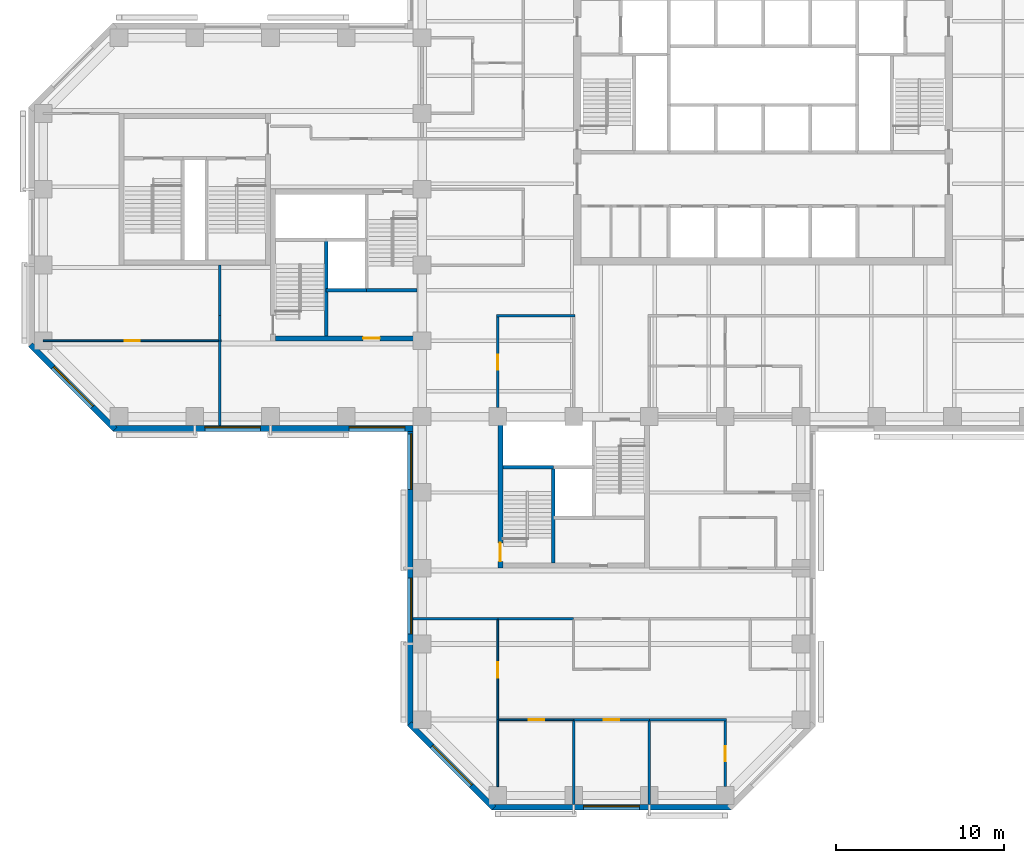
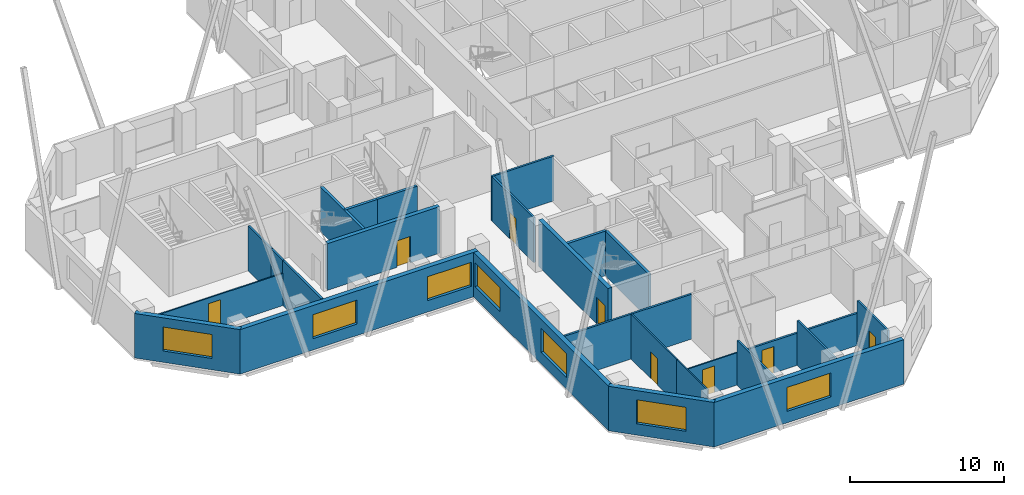
# One storey, part 3 of 11: 28 walls, 8 doors, 7 windows, 15 openings.
"""IFC4 building model written with IfcOpenShell, lengths in metres."""

from ifc_helpers import new_model, si_unit, direction, frame, frame_2d, origin, place, context, subcontext, project, spatial, rectangle, extrude, material, layer, layer_set, constituent, constituent_set, type_object, element, fill, save


model = new_model("IFC4")

# Units and contexts
model_context = context("Model", 3, precision=1e-05, world=origin(), true_north=direction((0.0, 1.0)))
body_context = subcontext(model_context, "Body", "Model", "MODEL_VIEW")
ifc_project = project(units=[si_unit("LENGTHUNIT", "METRE"), si_unit("AREAUNIT", "SQUARE_METRE"), si_unit("VOLUMEUNIT", "CUBIC_METRE"), si_unit("PLANEANGLEUNIT", "RADIAN"), si_unit("MASSUNIT", "GRAM", prefix="KILO")], contexts=[model_context])

# Site, building, storey
site_placement = place(None, origin())
site = spatial("IfcSite", under=ifc_project, at=site_placement, CompositionType="ELEMENT")
building_placement = place(site_placement, origin())
building = spatial("IfcBuilding", under=site, at=building_placement, Name="Quoin Convention Tower", CompositionType="ELEMENT")
storey_placement = place(building_placement, frame((0.0, 0.0, 82.60009765625)))
storey = spatial("IfcBuildingStorey", under=building, at=storey_placement, Name="L21", CompositionType="ELEMENT", Elevation=82.60009765625)

# Walls
ifc_material_1 = material(Name="Plasterboard")
ifc_layer_1 = layer(ifc_material_1, 0.012451171875, Name="Finish")
ifc_material_2 = material(Name="Steel stud framing", Category="steel")
ifc_layer_2 = layer(ifc_material_2, 0.125, Name="Structure")
ifc_layer_3 = layer(ifc_material_1, 0.012451171875, Name="Finish")
ifc_layer_set_1 = layer_set([ifc_layer_1, ifc_layer_2, ifc_layer_3], Name="Steel stud framing")
wall_type_1 = type_object("IfcWallType", Name="Acoustic partition 150", PredefinedType="PARTITIONING", material=ifc_layer_set_1)
for number, where, z_axis, x_axis, name in (
    (1, (45.0, 17.47509765625, 0.0), (0.0, 0.0, 1.0), (0.0, 1.0, 0.0), "pw-L21-063"),
    (2, (49.5, 17.47509765625, 0.0), (0.0, 0.0, 1.0), (0.0, 1.0, 0.0), "pw-L21-064"),
):
    element("IfcWall", number, at=place(storey_placement, frame(where, z_axis=z_axis, x_axis=x_axis)), inside=storey, type_object=wall_type_1, Name=name, PredefinedType="PARTITIONING", context=body_context, shape_type="SweptSolid", body=[
        extrude(rectangle(XDim=4.949951171875, YDim=0.14990234375, at=frame_2d((2.47509765625, 0.0))), origin(), (0.0, 0.0, 1.0), 3.5498046875),
    ])

# Wall, opening, door
wall_1_placement = place(storey_placement, frame((54.0, 18.52490234375, 0.0), z_axis=(0.0, 0.0, 1.0), x_axis=(0.0, 1.0, 0.0)))
wall_1 = element("IfcWall", 3, at=wall_1_placement, inside=storey, type_object=wall_type_1, Name="pw-L21-066", PredefinedType="PARTITIONING", context=body_context, shape_type="SweptSolid", body=[
    extrude(rectangle(XDim=3.900146484375, YDim=0.14990234375, at=frame_2d((1.9501953125, 0.0))), origin(), (0.0, 0.0, 1.0), 3.5498046875),
])
opening_1_placement = place(wall_1_placement, frame((1.5, 0.0, 0.0)))
opening_1 = element("IfcOpeningElement", 4, at=opening_1_placement, cuts=wall_1, Name="Opening DOL1-22", PredefinedType="OPENING", context=body_context, shape_type="SweptSolid", body=[
    extrude(rectangle(XDim=0.89990234375, YDim=2.10009765625, at=frame_2d((0.449951171875, 1.050048828125))), frame((0.0, 0.0849609375, 0.0), z_axis=(0.0, -1.0, 0.0), x_axis=(1.0, 0.0, 0.0)), (0.0, 0.0, 1.0), 0.169921875),
])
ifc_material_3 = material(Name="Steel door leaf", Category="steel")
door_type_1 = type_object("IfcDoorType", Name="Office door 900 x 2100", OperationType="SINGLE_SWING_RIGHT", PredefinedType="DOOR", material=ifc_material_3)
door_1_placement = place(opening_1_placement, frame((0.89990234375, 0.0, 0.0), z_axis=(0.0, 0.0, 1.0), x_axis=(-1.0, 0.0, 0.0)))
door_1 = element("IfcDoor", 5, at=door_1_placement, inside=storey, type_object=door_type_1, Name="dr-L21-19", OperationType="SINGLE_SWING_LEFT", OverallHeight=2.10009765625, OverallWidth=0.89990234375, PredefinedType="DOOR", context=body_context, shape_type="SweptSolid", body=[
    extrude(rectangle(XDim=0.89990234375, YDim=2.10009765625, at=frame_2d((0.449951171875, 1.050048828125))), frame((0.0, 0.02490234375, 0.0), z_axis=(0.0, -1.0, 0.0), x_axis=(1.0, 0.0, 0.0)), (0.0, 0.0, 1.0), 0.050048828125),
])
fill(opening_1, door_1)

ifc_layer_4 = layer(ifc_material_1, 0.012451171875, Name="Finish")
ifc_layer_5 = layer(ifc_material_2, 0.125, Name="Structure")
ifc_layer_6 = layer(ifc_material_1, 0.012451171875, Name="Finish")
ifc_layer_set_2 = layer_set([ifc_layer_4, ifc_layer_5, ifc_layer_6], Name="Steel stud framing")
wall_type_2 = type_object("IfcWallType", Name="Acoustic partition 150 under beam 1000", PredefinedType="PARTITIONING", material=ifc_layer_set_2)
wall_2_placement = place(storey_placement, frame((45.0, 22.5, 0.0), z_axis=(0.0, 0.0, 1.0), x_axis=(1.0, 0.0, 0.0)))
wall_2 = element("IfcWall", 6, at=wall_2_placement, inside=storey, type_object=wall_type_2, Name="pw-L21-002", PredefinedType="PARTITIONING", context=body_context, shape_type="SweptSolid", body=[
    extrude(rectangle(XDim=4.5, YDim=0.14990234375, at=frame_2d((2.25, 0.0))), origin(), (0.0, 0.0, 1.0), 2.5498046875),
])
opening_2_placement = place(wall_2_placement, frame((1.800048828125, 0.0, 0.0)))
opening_2 = element("IfcOpeningElement", 7, at=opening_2_placement, cuts=wall_2, Name="Opening DOL1-02", PredefinedType="OPENING", context=body_context, shape_type="SweptSolid", body=[
    extrude(rectangle(XDim=0.89990234375, YDim=2.10009765625, at=frame_2d((0.449951171875, 1.050048828125))), frame((0.0, 0.0849609375, 0.0), z_axis=(0.0, -1.0, 0.0), x_axis=(1.0, 0.0, 0.0)), (0.0, 0.0, 1.0), 0.169921875),
])
door_2_placement = place(opening_2_placement, origin())
door_2 = element("IfcDoor", 8, at=door_2_placement, inside=storey, type_object=door_type_1, Name="dr-L21-18", OperationType="SINGLE_SWING_RIGHT", OverallHeight=2.10009765625, OverallWidth=0.89990234375, PredefinedType="DOOR", context=body_context, shape_type="SweptSolid", body=[
    extrude(rectangle(XDim=0.89990234375, YDim=2.10009765625, at=frame_2d((0.449951171875, 1.050048828125))), frame((0.0, 0.02490234375, 0.0), z_axis=(0.0, -1.0, 0.0), x_axis=(1.0, 0.0, 0.0)), (0.0, 0.0, 1.0), 0.050048828125),
])
fill(opening_2, door_2)

# Wall
wall_3_placement = place(storey_placement, frame((49.5, 22.5, 0.0), z_axis=(0.0, 0.0, 1.0), x_axis=(1.0, 0.0, 0.0)))
element("IfcWall", 9, at=wall_3_placement, inside=storey, type_object=wall_type_2, Name="pw-L21-003", PredefinedType="PARTITIONING", context=body_context, shape_type="SweptSolid", body=[
    extrude(rectangle(XDim=4.574951171875, YDim=0.14990234375, at=frame_2d((2.28759765625, 0.0))), origin(), (0.0, 0.0, 1.0), 2.5498046875),
])

# Wall, opening, window
ifc_material_4 = material(Name="Brick masonry", Category="masonry")
ifc_layer_7 = layer(ifc_material_4, 0.35009765625)
ifc_layer_set_3 = layer_set([ifc_layer_7], Name="Brick masonry")
wall_type_3 = type_object("IfcWallType", Name="Brick facade wall", PredefinedType="STANDARD", material=ifc_layer_set_3)
wall_4_placement = place(storey_placement, frame((12.748779296875, 44.76123046875, 0.0), z_axis=(0.0, 0.0, 1.0), x_axis=(0.707106781187, -0.707106781187, 0.0)))
wall_4 = element("IfcWall", 10, at=wall_4_placement, inside=storey, type_object=wall_type_3, Name="fw-L21-13500_45000", PredefinedType="STANDARD", context=body_context, shape_type="SweptSolid", body=[
    extrude(rectangle(XDim=7.088623046875, YDim=0.35009765625, at=frame_2d((3.54443359375, 0.0))), origin(), (0.0, 0.0, 1.0), 3.52490234375),
])
opening_3_placement = place(wall_4_placement, frame((1.894287109375, 0.0, 0.89990234375)))
opening_3 = element("IfcOpeningElement", 11, at=opening_3_placement, cuts=wall_4, Name="Opening W-02", PredefinedType="OPENING", context=body_context, shape_type="SweptSolid", body=[
    extrude(rectangle(XDim=3.300048828125, YDim=1.89990234375, at=frame_2d((1.64990234375, 0.949951171875))), frame((0.0, 0.18505859375, 0.0), z_axis=(0.0, -1.0, 0.0), x_axis=(1.0, 0.0, 0.0)), (0.0, 0.0, 1.0), 0.3701171875),
])
ifc_material_5 = material(Name="Aluminium", Category="aluminium")
ifc_constituent_1 = constituent(ifc_material_5, Name="Frame")
ifc_material_6 = material(Name="Insulated glass", Category="glass")
ifc_constituent_2 = constituent(ifc_material_6, Name="Glazing")
ifc_constituent_set = constituent_set(constituents=[ifc_constituent_1, ifc_constituent_2], Name="Aluminium")
window_type = type_object("IfcWindowType", Name="Office window", PartitioningType="DOUBLE_PANEL_VERTICAL", PredefinedType="WINDOW", material=ifc_constituent_set)
window_1_placement = place(opening_3_placement, origin())
window_1 = element("IfcWindow", 12, at=window_1_placement, inside=storey, type_object=window_type, Name="win-L21-15255_42255", OverallHeight=1.89990234375, OverallWidth=3.300048828125, PartitioningType="SINGLE_PANEL", PredefinedType="WINDOW", context=body_context, shape_type="SweptSolid", body=[
    extrude(rectangle(XDim=3.300048828125, YDim=1.89990234375, at=frame_2d((1.64990234375, 0.949951171875))), frame((0.0, 0.0849609375, 0.0), z_axis=(0.0, -1.0, 0.0), x_axis=(1.0, 0.0, 0.0)), (0.0, 0.0, 1.0), 0.06005859375),
])
fill(opening_3, window_1)

# Wall, openings, windows
wall_5_placement = place(storey_placement, frame((17.6376953125, 39.800048828125, 0.0), z_axis=(0.0, 0.0, 1.0), x_axis=(1.0, 0.0, 0.0)))
wall_5 = element("IfcWall", 13, at=wall_5_placement, inside=storey, type_object=wall_type_3, Name="fw-L21-18000_40500", PredefinedType="STANDARD", context=body_context, shape_type="SweptSolid", body=[
    extrude(rectangle(XDim=17.83740234375, YDim=0.35009765625, at=frame_2d((8.918701171875, 0.0))), origin(), (0.0, 0.0, 1.0), 3.52490234375),
])
opening_4_placement = place(wall_5_placement, frame((5.46240234375, 0.0, 0.89990234375)))
opening_4 = element("IfcOpeningElement", 14, at=opening_4_placement, cuts=wall_5, Name="Opening W-02", PredefinedType="OPENING", context=body_context, shape_type="SweptSolid", body=[
    extrude(rectangle(XDim=3.300048828125, YDim=1.89990234375, at=frame_2d((1.64990234375, 0.949951171875))), frame((0.0, 0.18505859375, 0.0), z_axis=(0.0, -1.0, 0.0), x_axis=(1.0, 0.0, 0.0)), (0.0, 0.0, 1.0), 0.3701171875),
])
opening_5_placement = place(wall_5_placement, frame((14.037353515625, 0.0, 0.89990234375)))
opening_5 = element("IfcOpeningElement", 15, at=opening_5_placement, cuts=wall_5, Name="Opening W-02", PredefinedType="OPENING", context=body_context, shape_type="SweptSolid", body=[
    extrude(rectangle(XDim=3.300048828125, YDim=1.89990234375, at=frame_2d((1.64990234375, 0.949951171875))), frame((0.0, 0.18505859375, 0.0), z_axis=(0.0, -1.0, 0.0), x_axis=(1.0, 0.0, 0.0)), (0.0, 0.0, 1.0), 0.3701171875),
])
window_2_placement = place(opening_4_placement, origin())
window_2 = element("IfcWindow", 16, at=window_2_placement, inside=storey, type_object=window_type, Name="win-L21-24750_39800", OverallHeight=1.89990234375, OverallWidth=3.300048828125, PartitioningType="SINGLE_PANEL", PredefinedType="WINDOW", context=body_context, shape_type="SweptSolid", body=[
    extrude(rectangle(XDim=3.300048828125, YDim=1.89990234375, at=frame_2d((1.64990234375, 0.949951171875))), frame((0.0, 0.0849609375, 0.0), z_axis=(0.0, -1.0, 0.0), x_axis=(1.0, 0.0, 0.0)), (0.0, 0.0, 1.0), 0.06005859375),
])
fill(opening_4, window_2)
window_3_placement = place(opening_5_placement, origin())
window_3 = element("IfcWindow", 17, at=window_3_placement, inside=storey, type_object=window_type, Name="win-L21-33750_39800", OverallHeight=1.89990234375, OverallWidth=3.300048828125, PartitioningType="SINGLE_PANEL", PredefinedType="WINDOW", context=body_context, shape_type="SweptSolid", body=[
    extrude(rectangle(XDim=3.300048828125, YDim=1.89990234375, at=frame_2d((1.64990234375, 0.949951171875))), frame((0.0, 0.0849609375, 0.0), z_axis=(0.0, -1.0, 0.0), x_axis=(1.0, 0.0, 0.0)), (0.0, 0.0, 1.0), 0.06005859375),
])
fill(opening_5, window_3)

wall_6_placement = place(storey_placement, frame((35.300048828125, 39.97509765625, 0.0), z_axis=(0.0, 0.0, 1.0), x_axis=(0.0, -1.0, 0.0)))
wall_6 = element("IfcWall", 18, at=wall_6_placement, inside=storey, type_object=wall_type_3, Name="fw-L21-36000_40500", PredefinedType="STANDARD", context=body_context, shape_type="SweptSolid", body=[
    extrude(rectangle(XDim=17.83740234375, YDim=0.35009765625, at=frame_2d((8.918701171875, 0.0))), origin(), (0.0, 0.0, 1.0), 3.52490234375),
])
opening_6_placement = place(wall_6_placement, frame((0.5, 0.0, 0.89990234375)))
opening_6 = element("IfcOpeningElement", 19, at=opening_6_placement, cuts=wall_6, Name="Opening W-02", PredefinedType="OPENING", context=body_context, shape_type="SweptSolid", body=[
    extrude(rectangle(XDim=3.300048828125, YDim=1.89990234375, at=frame_2d((1.64990234375, 0.949951171875))), frame((0.0, 0.18505859375, 0.0), z_axis=(0.0, -1.0, 0.0), x_axis=(1.0, 0.0, 0.0)), (0.0, 0.0, 1.0), 0.3701171875),
])
opening_7_placement = place(wall_6_placement, frame((9.074951171875, 0.0, 0.89990234375)))
opening_7 = element("IfcOpeningElement", 20, at=opening_7_placement, cuts=wall_6, Name="Opening W-02", PredefinedType="OPENING", context=body_context, shape_type="SweptSolid", body=[
    extrude(rectangle(XDim=3.300048828125, YDim=1.89990234375, at=frame_2d((1.64990234375, 0.949951171875))), frame((0.0, 0.18505859375, 0.0), z_axis=(0.0, -1.0, 0.0), x_axis=(1.0, 0.0, 0.0)), (0.0, 0.0, 1.0), 0.3701171875),
])
window_4_placement = place(opening_6_placement, origin())
window_4 = element("IfcWindow", 21, at=window_4_placement, inside=storey, type_object=window_type, Name="win-L21-35300_38250", OverallHeight=1.89990234375, OverallWidth=3.300048828125, PartitioningType="SINGLE_PANEL", PredefinedType="WINDOW", context=body_context, shape_type="SweptSolid", body=[
    extrude(rectangle(XDim=3.300048828125, YDim=1.89990234375, at=frame_2d((1.64990234375, 0.949951171875))), frame((0.0, 0.0849609375, 0.0), z_axis=(0.0, -1.0, 0.0), x_axis=(1.0, 0.0, 0.0)), (0.0, 0.0, 1.0), 0.06005859375),
])
fill(opening_6, window_4)
window_5_placement = place(opening_7_placement, origin())
window_5 = element("IfcWindow", 22, at=window_5_placement, inside=storey, type_object=window_type, Name="win-L21-35300_29250", OverallHeight=1.89990234375, OverallWidth=3.300048828125, PartitioningType="SINGLE_PANEL", PredefinedType="WINDOW", context=body_context, shape_type="SweptSolid", body=[
    extrude(rectangle(XDim=3.300048828125, YDim=1.89990234375, at=frame_2d((1.64990234375, 0.949951171875))), frame((0.0, 0.0849609375, 0.0), z_axis=(0.0, -1.0, 0.0), x_axis=(1.0, 0.0, 0.0)), (0.0, 0.0, 1.0), 0.06005859375),
])
fill(opening_7, window_5)

# Wall, opening, window
wall_7_placement = place(storey_placement, frame((35.248779296875, 22.26123046875, 0.0), z_axis=(0.0, 0.0, 1.0), x_axis=(0.707106781187, -0.707106781187, 0.0)))
wall_7 = element("IfcWall", 23, at=wall_7_placement, inside=storey, type_object=wall_type_3, Name="fw-L21-36000_22500", PredefinedType="STANDARD", context=body_context, shape_type="SweptSolid", body=[
    extrude(rectangle(XDim=7.088623046875, YDim=0.35009765625, at=frame_2d((3.54443359375, 0.0))), origin(), (0.0, 0.0, 1.0), 3.52490234375),
])
opening_8_placement = place(wall_7_placement, frame((1.894287109375, 0.0, 0.89990234375)))
opening_8 = element("IfcOpeningElement", 24, at=opening_8_placement, cuts=wall_7, Name="Opening W-02", PredefinedType="OPENING", context=body_context, shape_type="SweptSolid", body=[
    extrude(rectangle(XDim=3.300048828125, YDim=1.89990234375, at=frame_2d((1.64990234375, 0.949951171875))), frame((0.0, 0.18505859375, 0.0), z_axis=(0.0, -1.0, 0.0), x_axis=(1.0, 0.0, 0.0)), (0.0, 0.0, 1.0), 0.3701171875),
])
window_6_placement = place(opening_8_placement, origin())
window_6 = element("IfcWindow", 25, at=window_6_placement, inside=storey, type_object=window_type, Name="win-L21-37755_19755", OverallHeight=1.89990234375, OverallWidth=3.300048828125, PartitioningType="SINGLE_PANEL", PredefinedType="WINDOW", context=body_context, shape_type="SweptSolid", body=[
    extrude(rectangle(XDim=3.300048828125, YDim=1.89990234375, at=frame_2d((1.64990234375, 0.949951171875))), frame((0.0, 0.0849609375, 0.0), z_axis=(0.0, -1.0, 0.0), x_axis=(1.0, 0.0, 0.0)), (0.0, 0.0, 1.0), 0.06005859375),
])
fill(opening_8, window_6)

wall_8_placement = place(storey_placement, frame((40.1376953125, 17.300048828125, 0.0), z_axis=(0.0, 0.0, 1.0), x_axis=(1.0, 0.0, 0.0)))
wall_8 = element("IfcWall", 26, at=wall_8_placement, inside=storey, type_object=wall_type_3, Name="fw-L21-40500_18000", PredefinedType="STANDARD", context=body_context, shape_type="SweptSolid", body=[
    extrude(rectangle(XDim=14.224609375, YDim=0.35009765625, at=frame_2d((7.1123046875, 0.0))), origin(), (0.0, 0.0, 1.0), 3.52490234375),
])
opening_9_placement = place(wall_8_placement, frame((5.46240234375, 0.0, 0.89990234375)))
opening_9 = element("IfcOpeningElement", 27, at=opening_9_placement, cuts=wall_8, Name="Opening W-02", PredefinedType="OPENING", context=body_context, shape_type="SweptSolid", body=[
    extrude(rectangle(XDim=3.300048828125, YDim=1.89990234375, at=frame_2d((1.64990234375, 0.949951171875))), frame((0.0, 0.18505859375, 0.0), z_axis=(0.0, -1.0, 0.0), x_axis=(1.0, 0.0, 0.0)), (0.0, 0.0, 1.0), 0.3701171875),
])
window_7_placement = place(opening_9_placement, origin())
window_7 = element("IfcWindow", 28, at=window_7_placement, inside=storey, type_object=window_type, Name="win-L21-47250_17300", OverallHeight=1.89990234375, OverallWidth=3.300048828125, PartitioningType="SINGLE_PANEL", PredefinedType="WINDOW", context=body_context, shape_type="SweptSolid", body=[
    extrude(rectangle(XDim=3.300048828125, YDim=1.89990234375, at=frame_2d((1.64990234375, 0.949951171875))), frame((0.0, 0.0849609375, 0.0), z_axis=(0.0, -1.0, 0.0), x_axis=(1.0, 0.0, 0.0)), (0.0, 0.0, 1.0), 0.06005859375),
])
fill(opening_9, window_7)

# Walls
ifc_material_7 = material(Name="Concrete C50", Category="concrete")
ifc_layer_8 = layer(ifc_material_7, 0.199951171875)
ifc_layer_set_4 = layer_set([ifc_layer_8], Name="Concrete C50")
wall_type_4 = type_object("IfcWallType", Name="Core shaft wall", PredefinedType="SOLIDWALL", material=ifc_layer_set_4)
wall_9_placement = place(storey_placement, frame((30.300048828125, 48.0, 0.0), z_axis=(0.0, 0.0, 1.0), x_axis=(1.0, 0.0, 0.0)))
element("IfcWall", 29, at=wall_9_placement, inside=storey, type_object=wall_type_4, Name="cr-P2-L21-h3000_3300", PredefinedType="SOLIDWALL", context=body_context, shape_type="SweptSolid", body=[
    extrude(rectangle(XDim=2.39990234375, YDim=0.199951171875, at=frame_2d((1.199951171875, 0.0))), origin(), (0.0, 0.0, 1.0), 3.5498046875),
])
wall_10_placement = place(storey_placement, frame((32.699951171875, 48.0, 0.0), z_axis=(0.0, 0.0, 1.0), x_axis=(1.0, 0.0, 0.0)))
element("IfcWall", 30, at=wall_10_placement, inside=storey, type_object=wall_type_4, Name="cr-P2-L21-h3000_5700", PredefinedType="SOLIDWALL", context=body_context, shape_type="SweptSolid", body=[
    extrude(rectangle(XDim=3.0, YDim=0.199951171875, at=frame_2d((1.5, 0.0))), origin(), (0.0, 0.0, 1.0), 3.5498046875),
])
wall_11_placement = place(storey_placement, frame((30.300048828125, 45.300048828125, 0.0), z_axis=(0.0, 0.0, 1.0), x_axis=(0.0, 1.0, 0.0)))
element("IfcWall", 31, at=wall_11_placement, inside=storey, type_object=wall_type_4, Name="cr-P2-L21-v3300_300", PredefinedType="SOLIDWALL", context=body_context, shape_type="SweptSolid", body=[
    extrude(rectangle(XDim=5.699951171875, YDim=0.199951171875, at=frame_2d((2.85009765625, 0.0))), origin(), (0.0, 0.0, 1.0), 3.5498046875),
])
wall_12_placement = place(storey_placement, frame((40.800048828125, 37.5, 0.0), z_axis=(0.0, 0.0, 1.0), x_axis=(1.0, 0.0, 0.0)))
element("IfcWall", 32, at=wall_12_placement, inside=storey, type_object=wall_type_4, Name="cr-P3-L21-h6000_300", PredefinedType="SOLIDWALL", context=body_context, shape_type="SweptSolid", body=[
    extrude(rectangle(XDim=3.0, YDim=0.199951171875, at=frame_2d((1.5, 0.0))), origin(), (0.0, 0.0, 1.0), 3.5498046875),
])
wall_13_placement = place(storey_placement, frame((43.800048828125, 31.800048828125, 0.0), z_axis=(0.0, 0.0, 1.0), x_axis=(0.0, 1.0, 0.0)))
element("IfcWall", 33, at=wall_13_placement, inside=storey, type_object=wall_type_4, Name="cr-P3-L21-v3300_300", PredefinedType="SOLIDWALL", context=body_context, shape_type="SweptSolid", body=[
    extrude(rectangle(XDim=5.699951171875, YDim=0.199951171875, at=frame_2d((2.85009765625, 0.0))), origin(), (0.0, 0.0, 1.0), 3.5498046875),
])
ifc_layer_9 = layer(ifc_material_1, 0.012451171875, Name="Finish")
ifc_layer_10 = layer(ifc_material_2, 0.125, Name="Structure")
ifc_layer_11 = layer(ifc_material_1, 0.012451171875, Name="Finish")
ifc_layer_set_5 = layer_set([ifc_layer_9, ifc_layer_10, ifc_layer_11], Name="Steel stud framing")
wall_type_5 = type_object("IfcWallType", Name="Corridor wall 150", PredefinedType="PARTITIONING", material=ifc_layer_set_5)
wall_14_placement = place(storey_placement, frame((35.47509765625, 28.5, 0.0), z_axis=(0.0, 0.0, 1.0), x_axis=(1.0, 0.0, 0.0)))
element("IfcWall", 34, at=wall_14_placement, inside=storey, type_object=wall_type_5, Name="pw-L21-006", PredefinedType="PARTITIONING", context=body_context, shape_type="SweptSolid", body=[
    extrude(rectangle(XDim=5.02490234375, YDim=0.14990234375, at=frame_2d((2.512451171875, 0.0))), origin(), (0.0, 0.0, 1.0), 3.5498046875),
])
wall_15_placement = place(storey_placement, frame((40.5, 28.5, 0.0), z_axis=(0.0, 0.0, 1.0), x_axis=(1.0, 0.0, 0.0)))
element("IfcWall", 35, at=wall_15_placement, inside=storey, type_object=wall_type_5, Name="pw-L21-007", PredefinedType="PARTITIONING", context=body_context, shape_type="SweptSolid", body=[
    extrude(rectangle(XDim=4.5, YDim=0.14990234375, at=frame_2d((2.25, 0.0))), origin(), (0.0, 0.0, 1.0), 3.5498046875),
])
wall_16_placement = place(storey_placement, frame((40.425048828125, 46.5, 0.0), z_axis=(0.0, 0.0, 1.0), x_axis=(1.0, 0.0, 0.0)))
element("IfcWall", 36, at=wall_16_placement, inside=storey, type_object=wall_type_5, Name="pw-L21-024", PredefinedType="PARTITIONING", context=body_context, shape_type="SweptSolid", body=[
    extrude(rectangle(XDim=4.64990234375, YDim=0.14990234375, at=frame_2d((2.324951171875, 0.0))), origin(), (0.0, 0.0, 1.0), 3.5498046875),
])
wall_17_placement = place(storey_placement, frame((24.0, 39.97509765625, 0.0), z_axis=(0.0, 0.0, 1.0), x_axis=(0.0, 1.0, 0.0)))
element("IfcWall", 37, at=wall_17_placement, inside=storey, type_object=wall_type_5, Name="pw-L21-074", PredefinedType="PARTITIONING", context=body_context, shape_type="SweptSolid", body=[
    extrude(rectangle(XDim=5.02490234375, YDim=0.14990234375, at=frame_2d((2.512451171875, 0.0))), origin(), (0.0, 0.0, 1.0), 3.5498046875),
])

# Wall, opening, door
wall_18_placement = place(storey_placement, frame((40.5, 41.02490234375, 0.0), z_axis=(0.0, 0.0, 1.0), x_axis=(0.0, 1.0, 0.0)))
wall_18 = element("IfcWall", 38, at=wall_18_placement, inside=storey, type_object=wall_type_5, Name="pw-L21-075", PredefinedType="PARTITIONING", context=body_context, shape_type="SweptSolid", body=[
    extrude(rectangle(XDim=5.400146484375, YDim=0.14990234375, at=frame_2d((2.7001953125, 0.0))), origin(), (0.0, 0.0, 1.0), 3.5498046875),
])
opening_10_placement = place(wall_18_placement, frame((2.25, 0.0, 0.0)))
opening_10 = element("IfcOpeningElement", 39, at=opening_10_placement, cuts=wall_18, Name="Opening DOL1-24", PredefinedType="OPENING", context=body_context, shape_type="SweptSolid", body=[
    extrude(rectangle(XDim=0.89990234375, YDim=2.10009765625, at=frame_2d((0.449951171875, 1.050048828125))), frame((0.0, 0.0849609375, 0.0), z_axis=(0.0, -1.0, 0.0), x_axis=(1.0, 0.0, 0.0)), (0.0, 0.0, 1.0), 0.169921875),
])
door_3_placement = place(opening_10_placement, frame((0.89990234375, 0.0, 0.0), z_axis=(0.0, 0.0, 1.0), x_axis=(-1.0, 0.0, 0.0)))
door_3 = element("IfcDoor", 40, at=door_3_placement, inside=storey, type_object=door_type_1, Name="dr-L21-02", OperationType="SINGLE_SWING_LEFT", OverallHeight=2.10009765625, OverallWidth=0.89990234375, PredefinedType="DOOR", context=body_context, shape_type="SweptSolid", body=[
    extrude(rectangle(XDim=0.89990234375, YDim=2.10009765625, at=frame_2d((0.449951171875, 1.050048828125))), frame((0.0, 0.02490234375, 0.0), z_axis=(0.0, -1.0, 0.0), x_axis=(1.0, 0.0, 0.0)), (0.0, 0.0, 1.0), 0.050048828125),
])
fill(opening_10, door_3)

# Walls
wall_19_placement = place(storey_placement, frame((24.0, 45.0, 0.0), z_axis=(0.0, 0.0, 1.0), x_axis=(0.0, 1.0, 0.0)))
element("IfcWall", 41, at=wall_19_placement, inside=storey, type_object=wall_type_5, Name="pw-L21-083", PredefinedType="PARTITIONING", context=body_context, shape_type="SweptSolid", body=[
    extrude(rectangle(XDim=1.5, YDim=0.14990234375, at=frame_2d((0.75, 0.0))), origin(), (0.0, 0.0, 1.0), 3.5498046875),
])
wall_20_placement = place(storey_placement, frame((24.0, 46.5, 0.0), z_axis=(0.0, 0.0, 1.0), x_axis=(0.0, 1.0, 0.0)))
element("IfcWall", 42, at=wall_20_placement, inside=storey, type_object=wall_type_5, Name="pw-L21-085", PredefinedType="PARTITIONING", context=body_context, shape_type="SweptSolid", body=[
    extrude(rectangle(XDim=3.0, YDim=0.14990234375, at=frame_2d((1.5, 0.0))), origin(), (0.0, 0.0, 1.0), 3.5498046875),
])

# Wall, opening, door
ifc_material_8 = material(Name="Concrete C65", Category="concrete")
ifc_layer_12 = layer(ifc_material_8, 0.300048828125)
ifc_layer_set_6 = layer_set([ifc_layer_12], Name="Concrete C65")
wall_type_6 = type_object("IfcWallType", Name="RC CORE WALL 300 C65", PredefinedType="SHEAR", material=ifc_layer_set_6)
wall_21_placement = place(storey_placement, frame((27.300048828125, 45.14990234375, 0.0), z_axis=(0.0, 0.0, 1.0), x_axis=(1.0, 0.0, 0.0)))
wall_21 = element("IfcWall", 43, at=wall_21_placement, inside=storey, type_object=wall_type_6, Name="cwl-P2-L21-S", PredefinedType="SHEAR", context=body_context, shape_type="SweptSolid", body=[
    extrude(rectangle(XDim=8.39990234375, YDim=0.300048828125, at=frame_2d((4.199951171875, 0.0))), origin(), (0.0, 0.0, 1.0), 3.699951171875),
])
opening_11_placement = place(wall_21_placement, frame((5.199951171875, 0.0, 0.0)))
opening_11 = element("IfcOpeningElement", 44, at=opening_11_placement, cuts=wall_21, Name="Opening DCV1-50", PredefinedType="OPENING", context=body_context, shape_type="SweptSolid", body=[
    extrude(rectangle(XDim=1.0, YDim=2.10009765625, at=frame_2d((0.5, 1.050048828125))), frame((0.0, 0.159912109375, 0.0), z_axis=(0.0, -1.0, 0.0), x_axis=(1.0, 0.0, 0.0)), (0.0, 0.0, 1.0), 0.320068359375),
])
door_type_2 = type_object("IfcDoorType", Name="Service door 1000 x 2100", OperationType="SINGLE_SWING_LEFT", PredefinedType="DOOR", material=ifc_material_3)
door_4_placement = place(opening_11_placement, origin())
door_4 = element("IfcDoor", 45, at=door_4_placement, inside=storey, type_object=door_type_2, Name="cd-P2-L21-R2-S", OperationType="SINGLE_SWING_LEFT", OverallHeight=2.10009765625, OverallWidth=1.0, PredefinedType="DOOR", context=body_context, shape_type="SweptSolid", body=[
    extrude(rectangle(XDim=1.0, YDim=2.10009765625, at=frame_2d((0.5, 1.050048828125))), frame((0.0, 0.02490234375, 0.0), z_axis=(0.0, -1.0, 0.0), x_axis=(1.0, 0.0, 0.0)), (0.0, 0.0, 1.0), 0.050048828125),
])
fill(opening_11, door_4)

wall_22_placement = place(storey_placement, frame((40.64990234375, 31.5, 0.0), z_axis=(0.0, 0.0, 1.0), x_axis=(0.0, 1.0, 0.0)))
wall_22 = element("IfcWall", 46, at=wall_22_placement, inside=storey, type_object=wall_type_6, Name="cwl-P3-L21-W", PredefinedType="SHEAR", context=body_context, shape_type="SweptSolid", body=[
    extrude(rectangle(XDim=9.0, YDim=0.300048828125, at=frame_2d((4.5, 0.0))), origin(), (0.0, 0.0, 1.0), 3.699951171875),
])
opening_12_placement = place(wall_22_placement, frame((0.39990234375, 0.0, 0.0)))
opening_12 = element("IfcOpeningElement", 47, at=opening_12_placement, cuts=wall_22, Name="Opening SD5", PredefinedType="OPENING", context=body_context, shape_type="SweptSolid", body=[
    extrude(rectangle(XDim=1.10009765625, YDim=2.10009765625, at=frame_2d((0.550048828125, 1.050048828125))), frame((0.0, 0.159912109375, 0.0), z_axis=(0.0, -1.0, 0.0), x_axis=(1.0, 0.0, 0.0)), (0.0, 0.0, 1.0), 0.320068359375),
])
door_type_3 = type_object("IfcDoorType", Name="Stair door 1100 x 2100", OperationType="SINGLE_SWING_RIGHT", PredefinedType="DOOR", material=ifc_material_3)
door_5_placement = place(opening_12_placement, frame((1.10009765625, 0.0, 0.0), z_axis=(0.0, 0.0, 1.0), x_axis=(-1.0, 0.0, 0.0)))
door_5 = element("IfcDoor", 48, at=door_5_placement, inside=storey, type_object=door_type_3, Name="cd-P3-L21-SA-W", OperationType="SINGLE_SWING_RIGHT", OverallHeight=2.10009765625, OverallWidth=1.10009765625, PredefinedType="DOOR", context=body_context, shape_type="SweptSolid", body=[
    extrude(rectangle(XDim=1.10009765625, YDim=2.10009765625, at=frame_2d((0.550048828125, 1.050048828125))), frame((0.0, 0.02490234375, 0.0), z_axis=(0.0, -1.0, 0.0), x_axis=(1.0, 0.0, 0.0)), (0.0, 0.0, 1.0), 0.050048828125),
])
fill(opening_12, door_5)

# Wall
ifc_layer_13 = layer(ifc_material_1, 0.012451171875, Name="Finish")
ifc_layer_14 = layer(ifc_material_2, 0.074951171875, Name="Structure")
ifc_layer_15 = layer(ifc_material_1, 0.012451171875, Name="Finish")
ifc_layer_set_7 = layer_set([ifc_layer_13, ifc_layer_14, ifc_layer_15], Name="Steel stud framing")
wall_type_7 = type_object("IfcWallType", Name="Stud partition 100", PredefinedType="PARTITIONING", material=ifc_layer_set_7)
wall_23_placement = place(storey_placement, frame((40.5, 18.52490234375, 0.0), z_axis=(0.0, 0.0, 1.0), x_axis=(0.0, 1.0, 0.0)))
element("IfcWall", 49, at=wall_23_placement, inside=storey, type_object=wall_type_7, Name="pw-L21-065", PredefinedType="PARTITIONING", context=body_context, shape_type="SweptSolid", body=[
    extrude(rectangle(XDim=3.97509765625, YDim=0.10009765625, at=frame_2d((1.987548828125, 0.0))), origin(), (0.0, 0.0, 1.0), 3.5498046875),
])

# Wall, opening, door
wall_24_placement = place(storey_placement, frame((40.5, 22.5, 0.0), z_axis=(0.0, 0.0, 1.0), x_axis=(0.0, 1.0, 0.0)))
wall_24 = element("IfcWall", 50, at=wall_24_placement, inside=storey, type_object=wall_type_7, Name="pw-L21-067", PredefinedType="PARTITIONING", context=body_context, shape_type="SweptSolid", body=[
    extrude(rectangle(XDim=5.925048828125, YDim=0.10009765625, at=frame_2d((2.96240234375, 0.0))), origin(), (0.0, 0.0, 1.0), 3.5498046875),
])
opening_13_placement = place(wall_24_placement, frame((2.5, 0.0, 0.0)))
opening_13 = element("IfcOpeningElement", 51, at=opening_13_placement, cuts=wall_24, Name="Opening DOL1-23", PredefinedType="OPENING", context=body_context, shape_type="SweptSolid", body=[
    extrude(rectangle(XDim=0.89990234375, YDim=2.10009765625, at=frame_2d((0.449951171875, 1.050048828125))), frame((0.0, 0.06005859375, 0.0), z_axis=(0.0, -1.0, 0.0), x_axis=(1.0, 0.0, 0.0)), (0.0, 0.0, 1.0), 0.1201171875),
])
door_6_placement = place(opening_13_placement, frame((0.89990234375, 0.0, 0.0), z_axis=(0.0, 0.0, 1.0), x_axis=(-1.0, 0.0, 0.0)))
door_6 = element("IfcDoor", 52, at=door_6_placement, inside=storey, type_object=door_type_1, Name="dr-L21-15", OperationType="SINGLE_SWING_RIGHT", OverallHeight=2.10009765625, OverallWidth=0.89990234375, PredefinedType="DOOR", context=body_context, shape_type="SweptSolid", body=[
    extrude(rectangle(XDim=0.89990234375, YDim=2.10009765625, at=frame_2d((0.449951171875, 1.050048828125))), frame((0.0, 0.02490234375, 0.0), z_axis=(0.0, -1.0, 0.0), x_axis=(1.0, 0.0, 0.0)), (0.0, 0.0, 1.0), 0.050048828125),
])
fill(opening_13, door_6)

ifc_layer_16 = layer(ifc_material_1, 0.012451171875, Name="Finish")
ifc_layer_17 = layer(ifc_material_2, 0.074951171875, Name="Structure")
ifc_layer_18 = layer(ifc_material_1, 0.012451171875, Name="Finish")
ifc_layer_set_8 = layer_set([ifc_layer_16, ifc_layer_17, ifc_layer_18], Name="Steel stud framing")
wall_type_8 = type_object("IfcWallType", Name="Stud partition 100 under beam 1000", PredefinedType="PARTITIONING", material=ifc_layer_set_8)
wall_25_placement = place(storey_placement, frame((40.550048828125, 22.5, 0.0), z_axis=(0.0, 0.0, 1.0), x_axis=(1.0, 0.0, 0.0)))
wall_25 = element("IfcWall", 53, at=wall_25_placement, inside=storey, type_object=wall_type_8, Name="pw-L21-001", PredefinedType="PARTITIONING", context=body_context, shape_type="SweptSolid", body=[
    extrude(rectangle(XDim=4.449951171875, YDim=0.10009765625, at=frame_2d((2.22509765625, 0.0))), origin(), (0.0, 0.0, 1.0), 2.5498046875),
])
opening_14_placement = place(wall_25_placement, frame((1.800048828125, 0.0, 0.0)))
opening_14 = element("IfcOpeningElement", 54, at=opening_14_placement, cuts=wall_25, Name="Opening DOL1-01", PredefinedType="OPENING", context=body_context, shape_type="SweptSolid", body=[
    extrude(rectangle(XDim=0.89990234375, YDim=2.10009765625, at=frame_2d((0.449951171875, 1.050048828125))), frame((0.0, 0.06005859375, 0.0), z_axis=(0.0, -1.0, 0.0), x_axis=(1.0, 0.0, 0.0)), (0.0, 0.0, 1.0), 0.1201171875),
])
door_7_placement = place(opening_14_placement, origin())
door_7 = element("IfcDoor", 55, at=door_7_placement, inside=storey, type_object=door_type_1, Name="dr-L21-16", OperationType="SINGLE_SWING_RIGHT", OverallHeight=2.10009765625, OverallWidth=0.89990234375, PredefinedType="DOOR", context=body_context, shape_type="SweptSolid", body=[
    extrude(rectangle(XDim=0.89990234375, YDim=2.10009765625, at=frame_2d((0.449951171875, 1.050048828125))), frame((0.0, 0.02490234375, 0.0), z_axis=(0.0, -1.0, 0.0), x_axis=(1.0, 0.0, 0.0)), (0.0, 0.0, 1.0), 0.050048828125),
])
fill(opening_14, door_7)

wall_26_placement = place(storey_placement, frame((24.074951171875, 45.0, 0.0), z_axis=(0.0, 0.0, 1.0), x_axis=(-1.0, 0.0, 0.0)))
wall_26 = element("IfcWall", 56, at=wall_26_placement, inside=storey, type_object=wall_type_8, Name="pw-L21-w02", PredefinedType="PARTITIONING", context=body_context, shape_type="SweptSolid", body=[
    extrude(rectangle(XDim=10.574951171875, YDim=0.10009765625, at=frame_2d((5.28759765625, 0.0))), origin(), (0.0, 0.0, 1.0), 2.5498046875),
])
opening_15_placement = place(wall_26_placement, frame((4.8369140625, 0.0, 0.0)))
opening_15 = element("IfcOpeningElement", 57, at=opening_15_placement, cuts=wall_26, Name="Opening DOL1-36", PredefinedType="OPENING", context=body_context, shape_type="SweptSolid", body=[
    extrude(rectangle(XDim=0.89990234375, YDim=2.10009765625, at=frame_2d((0.449951171875, 1.050048828125))), frame((0.0, 0.06005859375, 0.0), z_axis=(0.0, -1.0, 0.0), x_axis=(1.0, 0.0, 0.0)), (0.0, 0.0, 1.0), 0.1201171875),
])
door_8_placement = place(opening_15_placement, frame((0.89990234375, 0.0, 0.0), z_axis=(0.0, 0.0, 1.0), x_axis=(-1.0, 0.0, 0.0)))
door_8 = element("IfcDoor", 58, at=door_8_placement, inside=storey, type_object=door_type_1, Name="dr-L21-w03", OperationType="SINGLE_SWING_RIGHT", OverallHeight=2.10009765625, OverallWidth=0.89990234375, PredefinedType="DOOR", context=body_context, shape_type="SweptSolid", body=[
    extrude(rectangle(XDim=0.89990234375, YDim=2.10009765625, at=frame_2d((0.449951171875, 1.050048828125))), frame((0.0, 0.02490234375, 0.0), z_axis=(0.0, -1.0, 0.0), x_axis=(1.0, 0.0, 0.0)), (0.0, 0.0, 1.0), 0.050048828125),
])
fill(opening_15, door_8)

save(model, "model.ifc")
